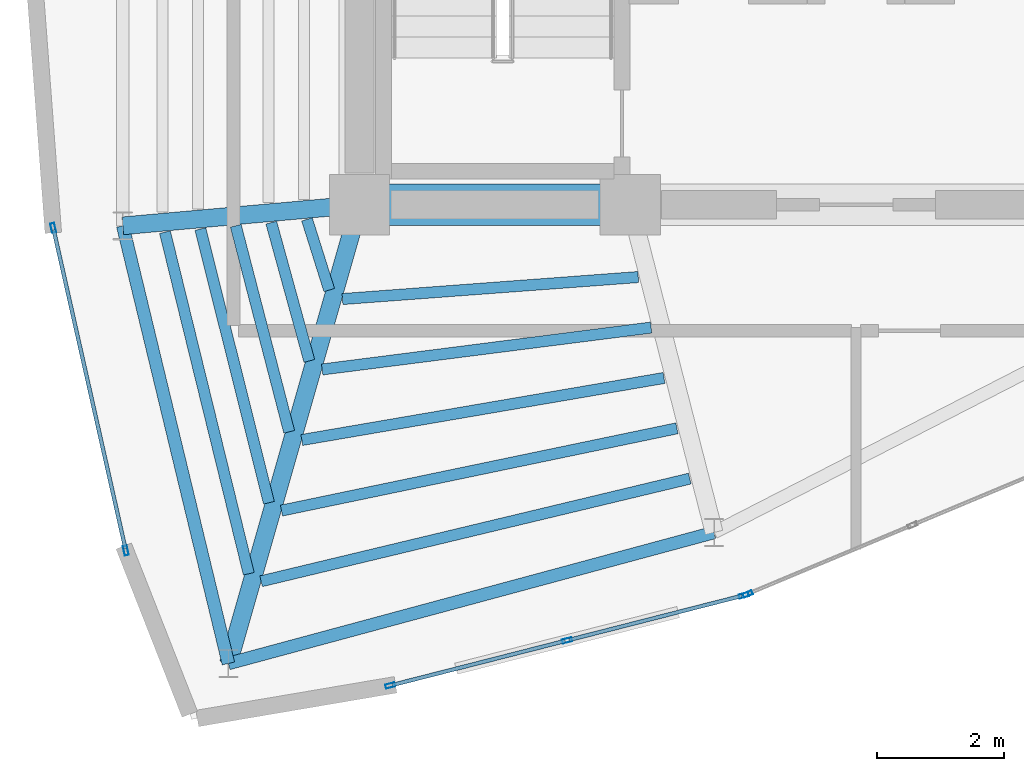
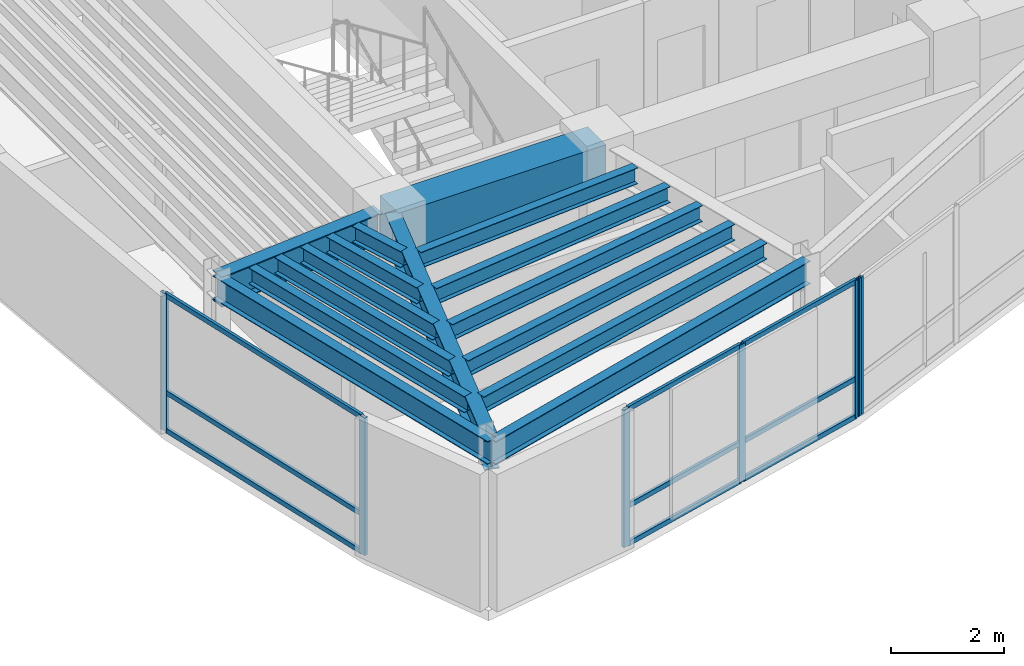
# One storey, part 2 of 14: 15 beams, 15 members, 3 elements without a shape of their own.
"""IFC4 building model written with IfcOpenShell, lengths in metres."""

from ifc_helpers import new_model, si_unit, direction, frame, origin, origin_2d, place, context, subcontext, project, spatial, rectangle, hollow_rectangle, i_section, extrude, material, layer, layer_set, material_profile, profile_set, type_object, element, aggregate, save


model = new_model("IFC4")

# Units and contexts
model_context = context("Model", 3, precision=1e-05, world=origin(), true_north=direction((0.0, 1.0)))
body_context = subcontext(model_context, "Body", "Model", "MODEL_VIEW")
ifc_project = project(units=[si_unit("LENGTHUNIT", "METRE"), si_unit("AREAUNIT", "SQUARE_METRE"), si_unit("VOLUMEUNIT", "CUBIC_METRE"), si_unit("PLANEANGLEUNIT", "RADIAN"), si_unit("MASSUNIT", "GRAM", prefix="KILO")], contexts=[model_context])

# Site, building, storey
site_placement = place(None, origin())
site = spatial("IfcSite", under=ifc_project, at=site_placement, CompositionType="ELEMENT")
building_placement = place(site_placement, origin())
building = spatial("IfcBuilding", under=site, at=building_placement, Name="Menara Vayukalpa", CompositionType="ELEMENT")
storey_placement = place(building_placement, frame((0.0, 0.0, 302.419921875)))
storey = spatial("IfcBuildingStorey", under=building, at=storey_placement, Name="L77", CompositionType="ELEMENT", Elevation=302.419921875)

# Beams
ifc_material_1 = material(Name="Concrete C60/75", Category="concrete")
ifc_material_profile_1 = material_profile(ifc_material_1, rectangle(XDim=0.64990234375, YDim=0.85009765625, at=origin_2d()), Name="RC 650x850")
ifc_profile_set_1 = profile_set([ifc_material_profile_1], Name="Concrete C60/75")
beam_type_1 = type_object("IfcBeamType", Name="BM-CB1", PredefinedType="BEAM", material=ifc_profile_set_1)
beam_1_placement = place(storey_placement, frame((17.800048828125, 17.199951171875, 2.55517578125), z_axis=(1.0, 0.0, 0.0), x_axis=(0.0, 1.0, 0.0)))
element("IfcBeam", 1, at=beam_1_placement, inside=storey, type_object=beam_type_1, Name="L77 Core Tie Beam CBR1", PredefinedType="BEAM", context=body_context, shape_type="SweptSolid", body=[
    extrude(rectangle(XDim=0.64990234375, YDim=0.85009765625, at=origin_2d()), origin(), (0.0, 0.0, 1.0), 4.25),
])
ifc_material_2 = material(Name="Steel S355", Category="steel")
ifc_material_profile_2 = material_profile(ifc_material_2, i_section(OverallWidth=0.280029296875, OverallDepth=0.64990234375, WebThickness=0.012939453125, FlangeThickness=0.02197265625, at=origin_2d()), Name="WF 650x280x13x22")
ifc_profile_set_2 = profile_set([ifc_material_profile_2], Name="Steel S355")
beam_type_2 = type_object("IfcBeamType", Name="BM-PG6", PredefinedType="BEAM", material=ifc_profile_set_2)
beam_2_placement = place(storey_placement, frame((17.551025390625, 17.177734375, 2.655029296875), z_axis=(-0.996018615253, -0.089145488221, 0.0), x_axis=(0.089145488221, -0.996018615253, 0.0)))
element("IfcBeam", 2, at=beam_2_placement, inside=storey, type_object=beam_type_2, Name="L77 Primary Radial Girder RG06", PredefinedType="BEAM", context=body_context, shape_type="SweptSolid", body=[
    extrude(i_section(OverallWidth=0.280029296875, OverallDepth=0.64990234375, WebThickness=0.012939453125, FlangeThickness=0.02197265625, at=origin_2d()), origin(), (0.0, 0.0, 1.0), 3.483642578125),
])
beam_3_placement = place(storey_placement, frame((17.731201171875, 16.959716796875, 2.655029296875), z_axis=(-0.274721127897, -0.961523947641, 0.0), x_axis=(0.961523947641, -0.274721127897, 0.0)))
element("IfcBeam", 3, at=beam_3_placement, inside=storey, type_object=beam_type_2, Name="L77 Primary Radial Girder RG07", PredefinedType="BEAM", context=body_context, shape_type="SweptSolid", body=[
    extrude(i_section(OverallWidth=0.280029296875, OverallDepth=0.64990234375, WebThickness=0.012939453125, FlangeThickness=0.02197265625, at=origin_2d()), origin(), (0.0, 0.0, 1.0), 7.246337890625),
])
ifc_material_3 = material(Name="Steel S355", Category="steel")
ifc_material_profile_3 = material_profile(ifc_material_3, i_section(OverallWidth=0.175048828125, OverallDepth=0.35009765625, WebThickness=0.007080078125, FlangeThickness=0.010986328125, at=origin_2d()), Name="WF 350x175x7x11")
ifc_profile_set_3 = profile_set([ifc_material_profile_3], Name="Steel S355")
beam_type_3 = type_object("IfcBeamType", Name="BM-SJ3", PredefinedType="JOIST", material=ifc_profile_set_3)
beam_4_placement = place(storey_placement, frame((16.974609375, 16.96923828125, 2.80517578125), z_axis=(0.300720135723, -0.953712430437, 0.0), x_axis=(0.953712430437, 0.300720135723, 0.0)))
element("IfcBeam", 4, at=beam_4_placement, inside=storey, type_object=beam_type_3, Name="L77 Secondary Floor Joist SJ06-1", PredefinedType="JOIST", context=body_context, shape_type="SweptSolid", body=[
    extrude(i_section(OverallWidth=0.175048828125, OverallDepth=0.35009765625, WebThickness=0.007080078125, FlangeThickness=0.010986328125, at=origin_2d()), origin(), (0.0, 0.0, 1.0), 1.1650390625),
])
beam_5_placement = place(storey_placement, frame((16.413818359375, 16.91796875, 2.80517578125), z_axis=(0.265408257597, -0.964136119435, 0.0), x_axis=(0.964136119435, 0.265408257597, 0.0)))
element("IfcBeam", 5, at=beam_5_placement, inside=storey, type_object=beam_type_3, Name="L77 Secondary Floor Joist SJ06-2", PredefinedType="JOIST", context=body_context, shape_type="SweptSolid", body=[
    extrude(i_section(OverallWidth=0.175048828125, OverallDepth=0.35009765625, WebThickness=0.007080078125, FlangeThickness=0.010986328125, at=origin_2d()), origin(), (0.0, 0.0, 1.0), 2.253662109375),
])
beam_6_placement = place(storey_placement, frame((15.8564453125, 16.86767578125, 2.80517578125), z_axis=(0.25101283466, -0.96798375856, 0.0), x_axis=(0.96798375856, 0.25101283466, 0.0)))
element("IfcBeam", 6, at=beam_6_placement, inside=storey, type_object=beam_type_3, Name="L77 Secondary Floor Joist SJ06-3", PredefinedType="JOIST", context=body_context, shape_type="SweptSolid", body=[
    extrude(i_section(OverallWidth=0.175048828125, OverallDepth=0.35009765625, WebThickness=0.007080078125, FlangeThickness=0.010986328125, at=origin_2d()), origin(), (0.0, 0.0, 1.0), 3.343994140625),
])
beam_7_placement = place(storey_placement, frame((15.300048828125, 16.817626953125, 2.80517578125), z_axis=(0.243183291128, -0.969980353882, 0.0), x_axis=(0.969980353882, 0.243183291128, 0.0)))
element("IfcBeam", 7, at=beam_7_placement, inside=storey, type_object=beam_type_3, Name="L77 Secondary Floor Joist SJ06-4", PredefinedType="JOIST", context=body_context, shape_type="SweptSolid", body=[
    extrude(i_section(OverallWidth=0.175048828125, OverallDepth=0.35009765625, WebThickness=0.007080078125, FlangeThickness=0.010986328125, at=origin_2d()), origin(), (0.0, 0.0, 1.0), 4.434326171875),
])
beam_8_placement = place(storey_placement, frame((14.744140625, 16.767578125, 2.80517578125), z_axis=(0.238311967576, -0.971188656292, 0.0), x_axis=(0.971188656292, 0.238311967576, 0.0)))
element("IfcBeam", 8, at=beam_8_placement, inside=storey, type_object=beam_type_3, Name="L77 Secondary Floor Joist SJ06-5", PredefinedType="JOIST", context=body_context, shape_type="SweptSolid", body=[
    extrude(i_section(OverallWidth=0.175048828125, OverallDepth=0.35009765625, WebThickness=0.007080078125, FlangeThickness=0.010986328125, at=origin_2d()), origin(), (0.0, 0.0, 1.0), 5.52490234375),
])
beam_9_placement = place(storey_placement, frame((17.532470703125, 15.71728515625, 2.80517578125), z_axis=(0.997251719177, 0.074087843793, 0.0), x_axis=(-0.074087843793, 0.997251719177, 0.0)))
element("IfcBeam", 9, at=beam_9_placement, inside=storey, type_object=beam_type_3, Name="L77 Secondary Floor Joist SJ07-1", PredefinedType="JOIST", context=body_context, shape_type="SweptSolid", body=[
    extrude(i_section(OverallWidth=0.175048828125, OverallDepth=0.35009765625, WebThickness=0.007080078125, FlangeThickness=0.010986328125, at=origin_2d()), origin(), (0.0, 0.0, 1.0), 4.659423828125),
])
beam_10_placement = place(storey_placement, frame((17.213134765625, 14.61083984375, 2.80517578125), z_axis=(0.99198755764, 0.126335606566, 0.0), x_axis=(-0.126335606566, 0.99198755764, 0.0)))
element("IfcBeam", 10, at=beam_10_placement, inside=storey, type_object=beam_type_3, Name="L77 Secondary Floor Joist SJ07-2", PredefinedType="JOIST", context=body_context, shape_type="SweptSolid", body=[
    extrude(i_section(OverallWidth=0.175048828125, OverallDepth=0.35009765625, WebThickness=0.007080078125, FlangeThickness=0.010986328125, at=origin_2d()), origin(), (0.0, 0.0, 1.0), 5.2099609375),
])
beam_11_placement = place(storey_placement, frame((16.8935546875, 13.5029296875, 2.80517578125), z_axis=(0.985653829347, 0.168779526877, 0.0), x_axis=(-0.168779526877, 0.985653829347, 0.0)))
element("IfcBeam", 11, at=beam_11_placement, inside=storey, type_object=beam_type_3, Name="L77 Secondary Floor Joist SJ07-3", PredefinedType="JOIST", context=body_context, shape_type="SweptSolid", body=[
    extrude(i_section(OverallWidth=0.175048828125, OverallDepth=0.35009765625, WebThickness=0.007080078125, FlangeThickness=0.010986328125, at=origin_2d()), origin(), (0.0, 0.0, 1.0), 5.77294921875),
])
beam_12_placement = place(storey_placement, frame((16.573974609375, 12.393798828125, 2.80517578125), z_axis=(0.979026809099, 0.203731458211, 0.0), x_axis=(-0.203731458211, 0.979026809099, 0.0)))
element("IfcBeam", 12, at=beam_12_placement, inside=storey, type_object=beam_type_3, Name="L77 Secondary Floor Joist SJ07-4", PredefinedType="JOIST", context=body_context, shape_type="SweptSolid", body=[
    extrude(i_section(OverallWidth=0.175048828125, OverallDepth=0.35009765625, WebThickness=0.007080078125, FlangeThickness=0.010986328125, at=origin_2d()), origin(), (0.0, 0.0, 1.0), 6.34521484375),
])
beam_13_placement = place(storey_placement, frame((16.25439453125, 11.28369140625, 2.80517578125), z_axis=(0.972498563376, 0.232908875382, 0.0), x_axis=(-0.232908875382, 0.972498563376, 0.0)))
element("IfcBeam", 13, at=beam_13_placement, inside=storey, type_object=beam_type_3, Name="L77 Secondary Floor Joist SJ07-5", PredefinedType="JOIST", context=body_context, shape_type="SweptSolid", body=[
    extrude(i_section(OverallWidth=0.175048828125, OverallDepth=0.35009765625, WebThickness=0.007080078125, FlangeThickness=0.010986328125, at=origin_2d()), origin(), (0.0, 0.0, 1.0), 6.924560546875),
])
ifc_material_4 = material(Name="Steel S355", Category="steel")
ifc_material_profile_4 = material_profile(ifc_material_4, i_section(OverallWidth=0.199951171875, OverallDepth=0.5, WebThickness=0.010009765625, FlangeThickness=0.01611328125, at=origin_2d()), Name="WF 500x200x10x16")
ifc_profile_set_4 = profile_set([ifc_material_profile_4], Name="Steel S355")
beam_type_4 = type_object("IfcBeamType", Name="BM-SP3", PredefinedType="SPANDREL", material=ifc_profile_set_4)
beam_14_placement = place(storey_placement, frame((14.081298828125, 16.8671875, 2.72998046875), z_axis=(0.234600039411, -0.97209198202, 0.0), x_axis=(0.97209198202, 0.234600039411, 0.0)))
element("IfcBeam", 14, at=beam_14_placement, inside=storey, type_object=beam_type_4, Name="L77 Perimeter Spandrel Beam SP06", PredefinedType="SPANDREL", context=body_context, shape_type="SweptSolid", body=[
    extrude(i_section(OverallWidth=0.199951171875, OverallDepth=0.5, WebThickness=0.010009765625, FlangeThickness=0.01611328125, at=origin_2d()), origin(), (0.0, 0.0, 1.0), 7.072265625),
])
beam_15_placement = place(storey_placement, frame((15.740478515625, 9.9921875, 2.72998046875), z_axis=(0.965485889412, 0.260455365361, 0.0), x_axis=(-0.260455365361, 0.965485889412, 0.0)))
element("IfcBeam", 15, at=beam_15_placement, inside=storey, type_object=beam_type_4, Name="L77 Perimeter Spandrel Beam SP07", PredefinedType="SPANDREL", context=body_context, shape_type="SweptSolid", body=[
    extrude(i_section(OverallWidth=0.199951171875, OverallDepth=0.5, WebThickness=0.010009765625, FlangeThickness=0.01611328125, at=origin_2d()), origin(), (0.0, 0.0, 1.0), 7.90283203125),
])

# Curtain wall, members
ifc_material_5 = material(Name="Anodised Terracotta Aluminium Alloy 6063-T6", Category="masonry")
ifc_layer = layer(ifc_material_5, 0.14990234375)
ifc_layer_set = layer_set([ifc_layer], Name="Anodised Terracotta Aluminium Alloy 6063-T6")
curtain_wall_type = type_object("IfcCurtainWallType", Name="CW-CW7", PredefinedType="USERDEFINED", material=ifc_layer_set)
curtain_wall_1_placement = place(storey_placement, origin())
curtain_wall_1 = element("IfcCurtainWall", 16, at=curtain_wall_1_placement, inside=storey, type_object=curtain_wall_type, Name="L77 Crown Drum Screened Curtain Wall CW7 12", ObjectType="UNITISED", PredefinedType="USERDEFINED")
ifc_material_6 = material(Name="Anodised Terracotta Aluminium Alloy 6063-T6", Category="masonry")
ifc_material_profile_5 = material_profile(ifc_material_6, hollow_rectangle(XDim=0.06494140625, YDim=0.14990234375, WallThickness=0.00341796875, at=origin_2d()), Name="ALU 65x150x3.5")
ifc_profile_set_5 = profile_set([ifc_material_profile_5], Name="Anodised Terracotta Aluminium Alloy 6063-T6")
member_type_1 = type_object("IfcMemberType", Name="CWM-CW7", PredefinedType="MULLION", material=ifc_profile_set_5)
member_1_placement = place(storey_placement, frame((12.988525390625, 16.83544921875, 0.0), z_axis=(0.0, 0.0, 1.0), x_axis=(0.975608941973, 0.219515813421, 0.0)))
member_1 = element("IfcMember", 17, at=member_1_placement, type_object=member_type_1, Name="CW7 mullion 1", PredefinedType="MULLION", context=body_context, shape_type="SweptSolid", body=[
    extrude(hollow_rectangle(XDim=0.06494140625, YDim=0.14990234375, WallThickness=0.00341796875, at=origin_2d()), origin(), (0.0, 0.0, 1.0), 2.97998046875),
])
member_2_placement = place(storey_placement, frame((14.129150390625, 11.76611328125, 0.0), z_axis=(0.0, 0.0, 1.0), x_axis=(0.975608941973, 0.219515813421, 0.0)))
member_2 = element("IfcMember", 18, at=member_2_placement, type_object=member_type_1, Name="CW7 mullion 2", PredefinedType="MULLION", context=body_context, shape_type="SweptSolid", body=[
    extrude(hollow_rectangle(XDim=0.06494140625, YDim=0.14990234375, WallThickness=0.00341796875, at=origin_2d()), origin(), (0.0, 0.0, 1.0), 2.97998046875),
])

curtain_wall_2_placement = place(storey_placement, origin())
curtain_wall_2 = element("IfcCurtainWall", 19, at=curtain_wall_2_placement, inside=storey, type_object=curtain_wall_type, Name="L77 Crown Drum Screened Curtain Wall CW7 15", ObjectType="UNITISED", PredefinedType="USERDEFINED")
member_3_placement = place(storey_placement, frame((18.284423828125, 9.64599609375, 0.0), z_axis=(0.0, 0.0, 1.0), x_axis=(-0.247123764219, 0.968983924097, 0.0)))
member_3 = element("IfcMember", 20, at=member_3_placement, type_object=member_type_1, Name="CW7 mullion 1", PredefinedType="MULLION", context=body_context, shape_type="SweptSolid", body=[
    extrude(hollow_rectangle(XDim=0.06494140625, YDim=0.14990234375, WallThickness=0.00341796875, at=origin_2d()), origin(), (0.0, 0.0, 1.0), 2.97998046875),
])
member_4_placement = place(storey_placement, frame((21.0615234375, 10.354248046875, 0.0), z_axis=(0.0, 0.0, 1.0), x_axis=(-0.247123764219, 0.968983924097, 0.0)))
member_4 = element("IfcMember", 21, at=member_4_placement, type_object=member_type_1, Name="CW7 mullion 2", PredefinedType="MULLION", context=body_context, shape_type="SweptSolid", body=[
    extrude(hollow_rectangle(XDim=0.06494140625, YDim=0.14990234375, WallThickness=0.00341796875, at=origin_2d()), origin(), (0.0, 0.0, 1.0), 2.97998046875),
])
member_5_placement = place(storey_placement, frame((23.83837890625, 11.062255859375, 0.0), z_axis=(0.0, 0.0, 1.0), x_axis=(-0.247123764219, 0.968983924097, 0.0)))
member_5 = element("IfcMember", 22, at=member_5_placement, type_object=member_type_1, Name="CW7 mullion 3", PredefinedType="MULLION", context=body_context, shape_type="SweptSolid", body=[
    extrude(hollow_rectangle(XDim=0.06494140625, YDim=0.14990234375, WallThickness=0.00341796875, at=origin_2d()), origin(), (0.0, 0.0, 1.0), 2.97998046875),
])

# Curtain wall, member
curtain_wall_3_placement = place(storey_placement, origin())
curtain_wall_3 = element("IfcCurtainWall", 23, at=curtain_wall_3_placement, inside=storey, type_object=curtain_wall_type, Name="L77 Crown Drum Screened Curtain Wall CW7 16", ObjectType="UNITISED", PredefinedType="USERDEFINED")
member_6_placement = place(storey_placement, frame((23.89990234375, 11.0830078125, 0.0), z_axis=(0.0, 0.0, 1.0), x_axis=(-0.385898361946, 0.922541302191, 0.0)))
member_6 = element("IfcMember", 24, at=member_6_placement, type_object=member_type_1, Name="CW7 mullion 1", PredefinedType="MULLION", context=body_context, shape_type="SweptSolid", body=[
    extrude(hollow_rectangle(XDim=0.06494140625, YDim=0.14990234375, WallThickness=0.00341796875, at=origin_2d()), origin(), (0.0, 0.0, 1.0), 2.97998046875),
])
aggregate(curtain_wall_3, [member_6])

# Member
ifc_material_7 = material(Name="Anodised Terracotta Aluminium Alloy 6063-T6", Category="masonry")
ifc_material_profile_6 = material_profile(ifc_material_7, hollow_rectangle(XDim=0.06005859375, YDim=0.10498046875, WallThickness=0.0029296875, at=origin_2d()), Name="ALU 60x105x3")
ifc_profile_set_6 = profile_set([ifc_material_profile_6], Name="Anodised Terracotta Aluminium Alloy 6063-T6")
member_type_2 = type_object("IfcMemberType", Name="CWT-CW7", PredefinedType="USERDEFINED", material=ifc_profile_set_6)
member_7_placement = place(storey_placement, frame((12.99560546875, 16.8037109375, 0.030029296875), z_axis=(0.219539368084, -0.975603641784, 0.0), x_axis=(0.975603641784, 0.219539368084, 0.0)))
member_7 = element("IfcMember", 25, at=member_7_placement, type_object=member_type_2, Name="CW7 transom 1.1", ObjectType="TRANSOM", PredefinedType="USERDEFINED", context=body_context, shape_type="SweptSolid", body=[
    extrude(hollow_rectangle(XDim=0.06005859375, YDim=0.10498046875, WallThickness=0.0029296875, at=origin_2d()), origin(), (0.0, 0.0, 1.0), 5.131103515625),
])

member_8_placement = place(storey_placement, frame((12.99560546875, 16.8037109375, 0.85009765625), z_axis=(0.219539368084, -0.975603641784, 0.0), x_axis=(0.975603641784, 0.219539368084, 0.0)))
member_8 = element("IfcMember", 26, at=member_8_placement, type_object=member_type_2, Name="CW7 transom 1.2", ObjectType="TRANSOM", PredefinedType="USERDEFINED", context=body_context, shape_type="SweptSolid", body=[
    extrude(hollow_rectangle(XDim=0.06005859375, YDim=0.10498046875, WallThickness=0.0029296875, at=origin_2d()), origin(), (0.0, 0.0, 1.0), 5.131103515625),
])

member_9_placement = place(storey_placement, frame((12.99560546875, 16.8037109375, 2.9501953125), z_axis=(0.219539368084, -0.975603641784, 0.0), x_axis=(0.975603641784, 0.219539368084, 0.0)))
member_9 = element("IfcMember", 27, at=member_9_placement, type_object=member_type_2, Name="CW7 transom 1.3", ObjectType="TRANSOM", PredefinedType="USERDEFINED", context=body_context, shape_type="SweptSolid", body=[
    extrude(hollow_rectangle(XDim=0.06005859375, YDim=0.10498046875, WallThickness=0.0029296875, at=origin_2d()), origin(), (0.0, 0.0, 1.0), 5.131103515625),
])

aggregate(curtain_wall_1, [member_1, member_2, member_7, member_8, member_9])

member_10_placement = place(storey_placement, frame((18.31591796875, 9.654052734375, 0.030029296875), z_axis=(0.968988349591, 0.247106411, 0.0), x_axis=(-0.247106411, 0.968988349591, 0.0)))
member_10 = element("IfcMember", 28, at=member_10_placement, type_object=member_type_2, Name="CW7 transom 1.1", ObjectType="TRANSOM", PredefinedType="USERDEFINED", context=body_context, shape_type="SweptSolid", body=[
    extrude(hollow_rectangle(XDim=0.06005859375, YDim=0.10498046875, WallThickness=0.0029296875, at=origin_2d()), origin(), (0.0, 0.0, 1.0), 2.801025390625),
])

member_11_placement = place(storey_placement, frame((18.31591796875, 9.654052734375, 0.85009765625), z_axis=(0.968988349591, 0.247106411, 0.0), x_axis=(-0.247106411, 0.968988349591, 0.0)))
member_11 = element("IfcMember", 29, at=member_11_placement, type_object=member_type_2, Name="CW7 transom 1.2", ObjectType="TRANSOM", PredefinedType="USERDEFINED", context=body_context, shape_type="SweptSolid", body=[
    extrude(hollow_rectangle(XDim=0.06005859375, YDim=0.10498046875, WallThickness=0.0029296875, at=origin_2d()), origin(), (0.0, 0.0, 1.0), 2.801025390625),
])

member_12_placement = place(storey_placement, frame((18.31591796875, 9.654052734375, 2.9501953125), z_axis=(0.968988349591, 0.247106411, 0.0), x_axis=(-0.247106411, 0.968988349591, 0.0)))
member_12 = element("IfcMember", 30, at=member_12_placement, type_object=member_type_2, Name="CW7 transom 1.3", ObjectType="TRANSOM", PredefinedType="USERDEFINED", context=body_context, shape_type="SweptSolid", body=[
    extrude(hollow_rectangle(XDim=0.06005859375, YDim=0.10498046875, WallThickness=0.0029296875, at=origin_2d()), origin(), (0.0, 0.0, 1.0), 2.801025390625),
])

member_13_placement = place(storey_placement, frame((21.093017578125, 10.362060546875, 0.030029296875), z_axis=(0.968962149671, 0.247209127066, 0.0), x_axis=(-0.247209127066, 0.968962149671, 0.0)))
member_13 = element("IfcMember", 31, at=member_13_placement, type_object=member_type_2, Name="CW7 transom 2.1", ObjectType="TRANSOM", PredefinedType="USERDEFINED", context=body_context, shape_type="SweptSolid", body=[
    extrude(hollow_rectangle(XDim=0.06005859375, YDim=0.10498046875, WallThickness=0.0029296875, at=origin_2d()), origin(), (0.0, 0.0, 1.0), 2.80078125),
])

member_14_placement = place(storey_placement, frame((21.093017578125, 10.362060546875, 0.85009765625), z_axis=(0.968962149671, 0.247209127066, 0.0), x_axis=(-0.247209127066, 0.968962149671, 0.0)))
member_14 = element("IfcMember", 32, at=member_14_placement, type_object=member_type_2, Name="CW7 transom 2.2", ObjectType="TRANSOM", PredefinedType="USERDEFINED", context=body_context, shape_type="SweptSolid", body=[
    extrude(hollow_rectangle(XDim=0.06005859375, YDim=0.10498046875, WallThickness=0.0029296875, at=origin_2d()), origin(), (0.0, 0.0, 1.0), 2.80078125),
])

member_15_placement = place(storey_placement, frame((21.093017578125, 10.362060546875, 2.9501953125), z_axis=(0.968962149671, 0.247209127066, 0.0), x_axis=(-0.247209127066, 0.968962149671, 0.0)))
member_15 = element("IfcMember", 33, at=member_15_placement, type_object=member_type_2, Name="CW7 transom 2.3", ObjectType="TRANSOM", PredefinedType="USERDEFINED", context=body_context, shape_type="SweptSolid", body=[
    extrude(hollow_rectangle(XDim=0.06005859375, YDim=0.10498046875, WallThickness=0.0029296875, at=origin_2d()), origin(), (0.0, 0.0, 1.0), 2.80078125),
])

aggregate(curtain_wall_2, [member_3, member_4, member_5, member_10, member_11, member_12, member_13, member_14, member_15])

save(model, "model.ifc")
